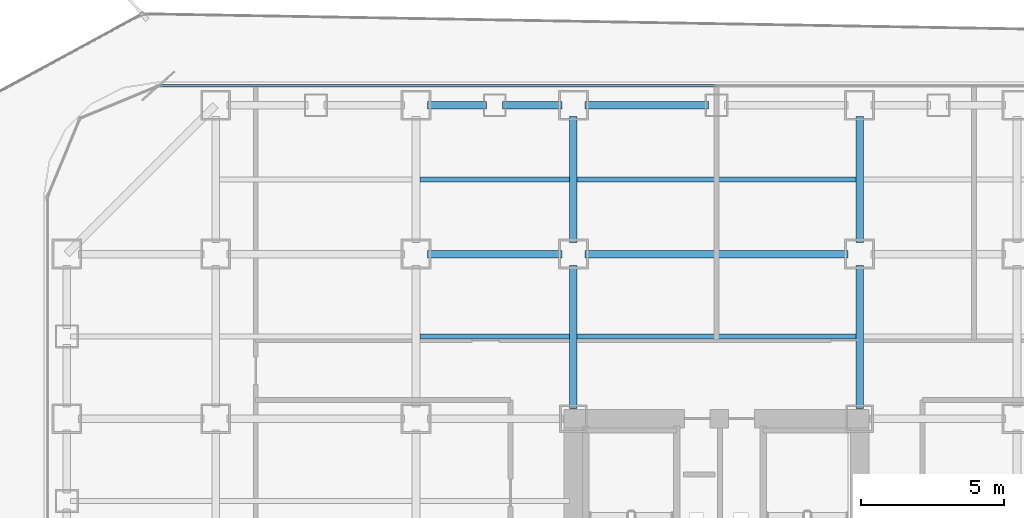
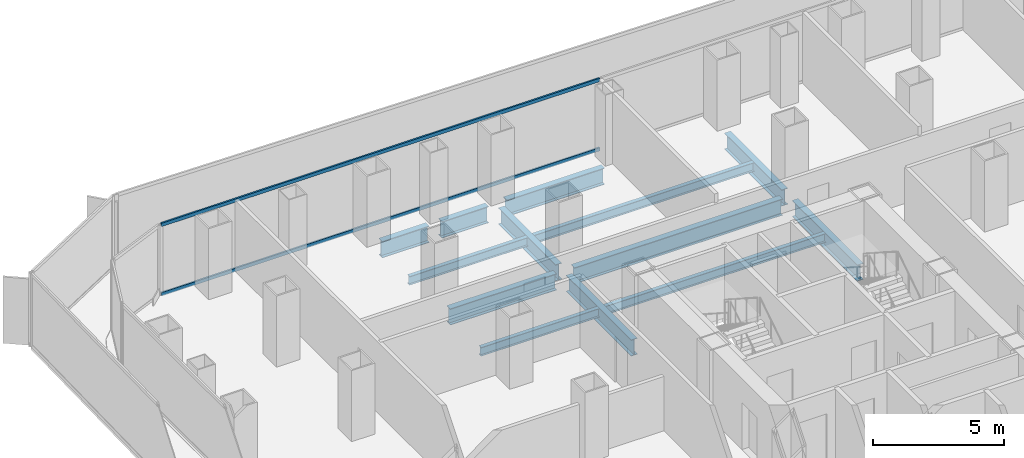
# One storey, part 12 of 21: 13 beams, 2 members, 1 element without a shape of its own.
"""IFC4 building model written with IfcOpenShell, lengths in metres."""

from ifc_helpers import new_model, si_unit, direction, frame, origin, origin_2d, place, context, subcontext, project, spatial, hollow_rectangle, i_section, extrude, source, transform, mapped, material, layer, layer_set, material_profile, profile_set, type_object, element, aggregate, save


model = new_model("IFC4")

# Units and contexts
model_context = context("Model", 3, precision=1e-05, world=origin(), true_north=direction((0.0, 1.0)))
body_context = subcontext(model_context, "Body", "Model", "MODEL_VIEW")
ifc_project = project(units=[si_unit("LENGTHUNIT", "METRE"), si_unit("AREAUNIT", "SQUARE_METRE"), si_unit("VOLUMEUNIT", "CUBIC_METRE"), si_unit("PLANEANGLEUNIT", "RADIAN"), si_unit("MASSUNIT", "GRAM", prefix="KILO")], contexts=[model_context])

# Site, building, storey
site_placement = place(None, origin())
site = spatial("IfcSite", under=ifc_project, at=site_placement, CompositionType="ELEMENT")
building_placement = place(site_placement, origin())
building = spatial("IfcBuilding", under=site, at=building_placement, Name="Kolveth Station Tower", CompositionType="ELEMENT")
storey_placement = place(building_placement, frame((0.0, 0.0, 36.89990234375)))
storey = spatial("IfcBuildingStorey", under=building, at=storey_placement, Name="L09", CompositionType="ELEMENT", Elevation=36.89990234375)

# Beams
ifc_material_1 = material(Name="Steel S355", Category="steel")
ifc_material_profile_1 = material_profile(ifc_material_1, i_section(OverallWidth=0.26904296875, OverallDepth=0.77490234375, WebThickness=0.01708984375, FlangeThickness=0.0283203125, at=origin_2d()), Name="W760x220")
ifc_profile_set_1 = profile_set([ifc_material_profile_1], Name="Steel S355")
beam_type_1 = type_object("IfcBeamType", Name="Beam_SP1", PredefinedType="SPANDREL", material=ifc_profile_set_1)
shared_shape_1 = source(origin(), body_context, "Body", "SweptSolid", [
    extrude(i_section(OverallWidth=0.26904296875, OverallDepth=0.77490234375, WebThickness=0.01708984375, FlangeThickness=0.0283203125, at=origin_2d()), origin(), (0.0, 0.0, 1.0), 2.070068359375),
])
for number, where, z_axis, x_axis, name in (
    (1, (13.39990234375, 39.699951171875, -0.66748046875), (1.0, 0.0, 0.0), (0.0, 1.0, 0.0), "L09 Perimeter Spandrel BM-L09-PN-3"),
    (2, (16.030029296875, 39.699951171875, -0.66748046875), (1.0, 0.0, 0.0), (0.0, 1.0, 0.0), "L09 Perimeter Spandrel BM-L09-PN-4"),
):
    element("IfcBeam", number, at=place(storey_placement, frame(where, z_axis=z_axis, x_axis=x_axis)), inside=storey, type_object=beam_type_1, Name=name, PredefinedType="SPANDREL", context=body_context, shape_type="MappedRepresentation", body=[
        mapped(shared_shape_1, transform((0.0, 0.0, 0.0), x_axis=(1.0, 0.0, 0.0), y_axis=(0.0, 1.0, 0.0), z_axis=(0.0, 0.0, 1.0), scale=1.0)),
    ])
shared_shape_2 = source(origin(), body_context, "Body", "SweptSolid", [
    extrude(i_section(OverallWidth=0.26904296875, OverallDepth=0.77490234375, WebThickness=0.01708984375, FlangeThickness=0.0283203125, at=origin_2d()), origin(), (0.0, 0.0, 1.0), 4.320068359375),
])
beam_1_placement = place(storey_placement, frame((18.89990234375, 39.699951171875, -0.66748046875), z_axis=(1.0, 0.0, 0.0), x_axis=(0.0, 1.0, 0.0)))
element("IfcBeam", 3, at=beam_1_placement, inside=storey, type_object=beam_type_1, Name="L09 Perimeter Spandrel BM-L09-PN-5", PredefinedType="SPANDREL", context=body_context, shape_type="MappedRepresentation", body=[
    mapped(shared_shape_2, transform((0.0, 0.0, 0.0), x_axis=(1.0, 0.0, 0.0), y_axis=(0.0, 1.0, 0.0), z_axis=(0.0, 0.0, 1.0), scale=1.0)),
])
ifc_material_profile_2 = material_profile(ifc_material_1, i_section(OverallWidth=0.26708984375, OverallDepth=0.76611328125, WebThickness=0.014892578125, FlangeThickness=0.023681640625, at=origin_2d()), Name="W760x185")
ifc_profile_set_2 = profile_set([ifc_material_profile_2], Name="Steel S355")
beam_type_2 = type_object("IfcBeamType", Name="Beam_B3", PredefinedType="BEAM", material=ifc_profile_set_2)
shared_shape_3 = source(origin(), body_context, "Body", "SweptSolid", [
    extrude(i_section(OverallWidth=0.26708984375, OverallDepth=0.76611328125, WebThickness=0.014892578125, FlangeThickness=0.023681640625, at=origin_2d()), origin(), (0.0, 0.0, 1.0), 4.400146484375),
])
for number, where, z_axis, x_axis, name in (
    (4, (18.5, 34.89990234375, -0.662841796875), (0.0, 1.0, 0.0), (-1.0, 0.0, 0.0), "L09 Primary Girder BM-L09-GX185-7"),
    (5, (28.5, 34.89990234375, -0.662841796875), (0.0, 1.0, 0.0), (-1.0, 0.0, 0.0), "L09 Primary Girder BM-L09-GX285-7"),
):
    element("IfcBeam", number, at=place(storey_placement, frame(where, z_axis=z_axis, x_axis=x_axis)), inside=storey, type_object=beam_type_2, Name=name, PredefinedType="BEAM", context=body_context, shape_type="MappedRepresentation", body=[
        mapped(shared_shape_3, transform((0.0, 0.0, 0.0), x_axis=(1.0, 0.0, 0.0), y_axis=(0.0, 1.0, 0.0), z_axis=(0.0, 0.0, 1.0), scale=1.0)),
    ])
shared_shape_4 = source(origin(), body_context, "Body", "SweptSolid", [
    extrude(i_section(OverallWidth=0.26708984375, OverallDepth=0.76611328125, WebThickness=0.014892578125, FlangeThickness=0.023681640625, at=origin_2d()), origin(), (0.0, 0.0, 1.0), 4.7001953125),
])
beam_2_placement = place(storey_placement, frame((13.39990234375, 34.5, -0.662841796875), z_axis=(1.0, 0.0, 0.0), x_axis=(0.0, 1.0, 0.0)))
element("IfcBeam", 6, at=beam_2_placement, inside=storey, type_object=beam_type_2, Name="L09 Primary Girder BM-L09-GY345-3", PredefinedType="BEAM", context=body_context, shape_type="MappedRepresentation", body=[
    mapped(shared_shape_4, transform((0.0, 0.0, 0.0), x_axis=(1.0, 0.0, 0.0), y_axis=(0.0, 1.0, 0.0), z_axis=(0.0, 0.0, 1.0), scale=1.0)),
])
shared_shape_5 = source(origin(), body_context, "Body", "SweptSolid", [
    extrude(i_section(OverallWidth=0.26708984375, OverallDepth=0.76611328125, WebThickness=0.014892578125, FlangeThickness=0.023681640625, at=origin_2d()), origin(), (0.0, 0.0, 1.0), 9.2001953125),
])
beam_3_placement = place(storey_placement, frame((18.89990234375, 34.5, -0.662841796875), z_axis=(1.0, 0.0, 0.0), x_axis=(0.0, 1.0, 0.0)))
element("IfcBeam", 7, at=beam_3_placement, inside=storey, type_object=beam_type_2, Name="L09 Primary Girder BM-L09-GY345-4", PredefinedType="BEAM", context=body_context, shape_type="MappedRepresentation", body=[
    mapped(shared_shape_5, transform((0.0, 0.0, 0.0), x_axis=(1.0, 0.0, 0.0), y_axis=(0.0, 1.0, 0.0), z_axis=(0.0, 0.0, 1.0), scale=1.0)),
])
shared_shape_6 = source(origin(), body_context, "Body", "SweptSolid", [
    extrude(i_section(OverallWidth=0.26708984375, OverallDepth=0.76611328125, WebThickness=0.014892578125, FlangeThickness=0.023681640625, at=origin_2d()), origin(), (0.0, 0.0, 1.0), 4.989990234375),
])
for number, where, z_axis, x_axis, name in (
    (8, (18.5, 29.110107421875, -0.662841796875), (0.0, 1.0, 0.0), (-1.0, 0.0, 0.0), "L09 Primary Girder BM-L09-GX185-6"),
    (9, (28.5, 29.110107421875, -0.662841796875), (0.0, 1.0, 0.0), (-1.0, 0.0, 0.0), "L09 Primary Girder BM-L09-GX285-6"),
):
    element("IfcBeam", number, at=place(storey_placement, frame(where, z_axis=z_axis, x_axis=x_axis)), inside=storey, type_object=beam_type_2, Name=name, PredefinedType="BEAM", context=body_context, shape_type="MappedRepresentation", body=[
        mapped(shared_shape_6, transform((0.0, 0.0, 0.0), x_axis=(1.0, 0.0, 0.0), y_axis=(0.0, 1.0, 0.0), z_axis=(0.0, 0.0, 1.0), scale=1.0)),
    ])
ifc_material_profile_3 = material_profile(ifc_material_1, i_section(OverallWidth=0.177978515625, OverallDepth=0.406982421875, WebThickness=0.0078125, FlangeThickness=0.0126953125, at=origin_2d()), Name="W410x60")
ifc_profile_set_3 = profile_set([ifc_material_profile_3], Name="Steel S355")
beam_type_3 = type_object("IfcBeamType", Name="Beam_J1", PredefinedType="JOIST", material=ifc_profile_set_3)
shared_shape_7 = source(origin(), body_context, "Body", "SweptSolid", [
    extrude(i_section(OverallWidth=0.177978515625, OverallDepth=0.406982421875, WebThickness=0.0078125, FlangeThickness=0.0126953125, at=origin_2d()), origin(), (0.0, 0.0, 1.0), 5.23681640625),
])
for number, where, z_axis, x_axis, name in (
    (10, (13.131591796875, 31.625, -0.4833984375), (1.0, 0.0, 0.0), (0.0, 1.0, 0.0), "L09 Secondary Joist JST-L09-3-6"),
    (11, (13.131591796875, 37.10009765625, -0.4833984375), (1.0, 0.0, 0.0), (0.0, 1.0, 0.0), "L09 Secondary Joist JST-L09-3-7"),
):
    element("IfcBeam", number, at=place(storey_placement, frame(where, z_axis=z_axis, x_axis=x_axis)), inside=storey, type_object=beam_type_3, Name=name, PredefinedType="JOIST", context=body_context, shape_type="MappedRepresentation", body=[
        mapped(shared_shape_7, transform((0.0, 0.0, 0.0), x_axis=(1.0, 0.0, 0.0), y_axis=(0.0, 1.0, 0.0), z_axis=(0.0, 0.0, 1.0), scale=1.0)),
    ])
shared_shape_8 = source(origin(), body_context, "Body", "SweptSolid", [
    extrude(i_section(OverallWidth=0.177978515625, OverallDepth=0.406982421875, WebThickness=0.0078125, FlangeThickness=0.0126953125, at=origin_2d()), origin(), (0.0, 0.0, 1.0), 9.73681640625),
])
for number, where, z_axis, x_axis, name in (
    (12, (18.631591796875, 31.625, -0.4833984375), (1.0, 0.0, 0.0), (0.0, 1.0, 0.0), "L09 Secondary Joist JST-L09-4-6"),
    (13, (18.631591796875, 37.10009765625, -0.4833984375), (1.0, 0.0, 0.0), (0.0, 1.0, 0.0), "L09 Secondary Joist JST-L09-4-7"),
):
    element("IfcBeam", number, at=place(storey_placement, frame(where, z_axis=z_axis, x_axis=x_axis)), inside=storey, type_object=beam_type_3, Name=name, PredefinedType="JOIST", context=body_context, shape_type="MappedRepresentation", body=[
        mapped(shared_shape_8, transform((0.0, 0.0, 0.0), x_axis=(1.0, 0.0, 0.0), y_axis=(0.0, 1.0, 0.0), z_axis=(0.0, 0.0, 1.0), scale=1.0)),
    ])

# Curtain wall, members
ifc_material_2 = material(Name="Aluminium 6063-T6 and low-E dark glass", Category="aluminium")
ifc_layer = layer(ifc_material_2, 0.179931640625)
ifc_layer_set = layer_set([ifc_layer], Name="Aluminium 6063-T6 and low-E dark glass")
curtain_wall_type = type_object("IfcCurtainWallType", Name="CurtainWall_CW-Z1", PredefinedType="NOTDEFINED", material=ifc_layer_set)
curtain_wall_placement = place(storey_placement, origin())
curtain_wall = element("IfcCurtainWall", 14, at=curtain_wall_placement, inside=storey, type_object=curtain_wall_type, Name="L09 Inner Thermal Curtain Wall 6", PredefinedType="NOTDEFINED")
ifc_material_3 = material(Name="Black anodized aluminium 6063-T6", Category="aluminium")
ifc_material_profile_4 = material_profile(ifc_material_3, hollow_rectangle(XDim=0.074951171875, YDim=0.159912109375, WallThickness=0.0048828125, at=origin_2d()), Name="ALU-75x160x5")
ifc_profile_set_4 = profile_set([ifc_material_profile_4], Name="Black anodized aluminium 6063-T6")
member_type = type_object("IfcMemberType", Name="Transom_TR1", PredefinedType="USERDEFINED", material=ifc_profile_set_4)
shared_shape_9 = source(origin(), body_context, "Body", "SweptSolid", [
    extrude(hollow_rectangle(XDim=0.074951171875, YDim=0.159912109375, WallThickness=0.0048828125, at=origin_2d()), origin(), (0.0, 0.0, 1.0), 19.387451171875),
])
member_1_placement = place(storey_placement, frame((23.46240234375, 40.3798828125, 0.03759765625), z_axis=(-1.0, 0.0, 0.0), x_axis=(0.0, -1.0, 0.0)))
member_1 = element("IfcMember", 15, at=member_1_placement, type_object=member_type, Name="CW-Z1 transom 2.1", ObjectType="TRANSOM", PredefinedType="USERDEFINED", context=body_context, shape_type="MappedRepresentation", body=[
    mapped(shared_shape_9, transform((0.0, 0.0, 0.0), x_axis=(1.0, 0.0, 0.0), y_axis=(0.0, 1.0, 0.0), z_axis=(0.0, 0.0, 1.0), scale=1.0)),
])
member_2_placement = place(storey_placement, frame((23.46240234375, 40.3798828125, 3.28271484375), z_axis=(-1.0, 0.0, 0.0), x_axis=(0.0, -1.0, 0.0)))
member_2 = element("IfcMember", 16, at=member_2_placement, type_object=member_type, Name="CW-Z1 transom 2.2", ObjectType="TRANSOM", PredefinedType="USERDEFINED", context=body_context, shape_type="MappedRepresentation", body=[
    mapped(shared_shape_9, transform((0.0, 0.0, 0.0), x_axis=(1.0, 0.0, 0.0), y_axis=(0.0, 1.0, 0.0), z_axis=(0.0, 0.0, 1.0), scale=1.0)),
])
aggregate(curtain_wall, [member_1, member_2])

save(model, "model.ifc")
